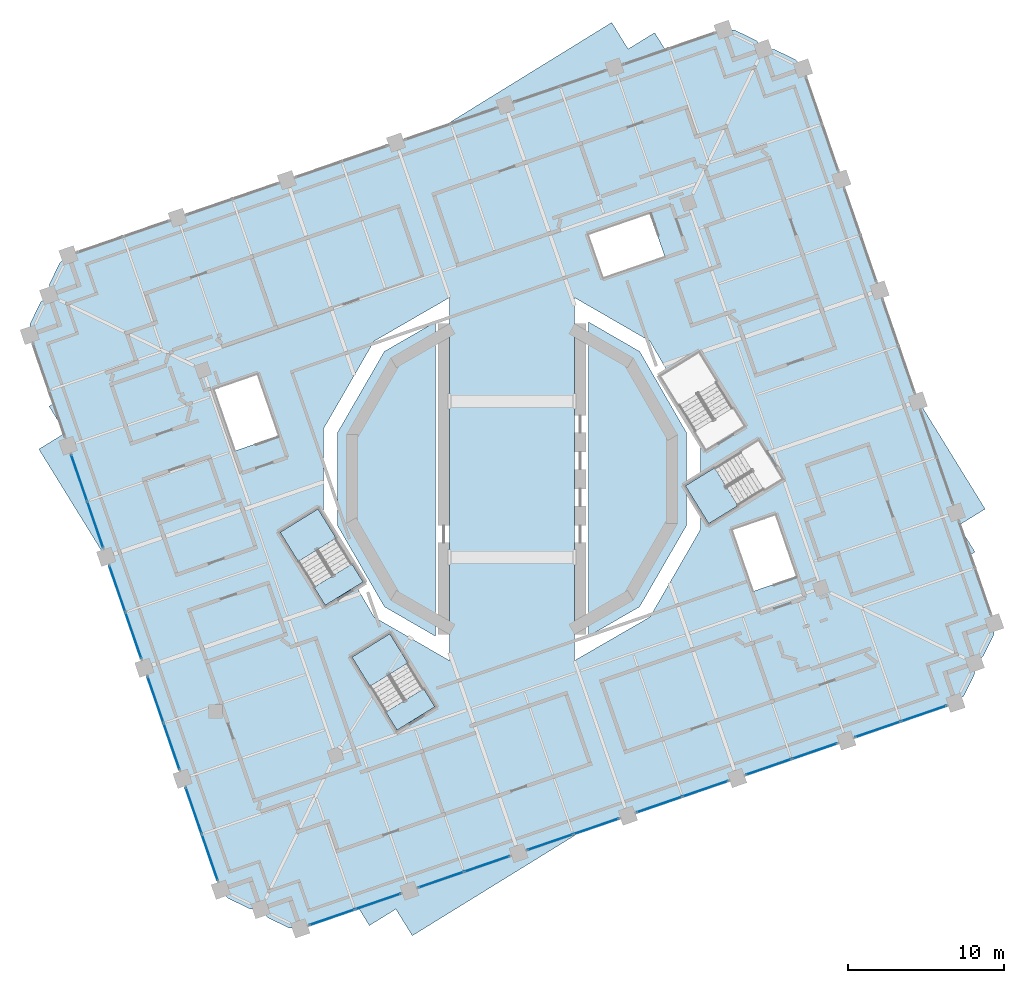
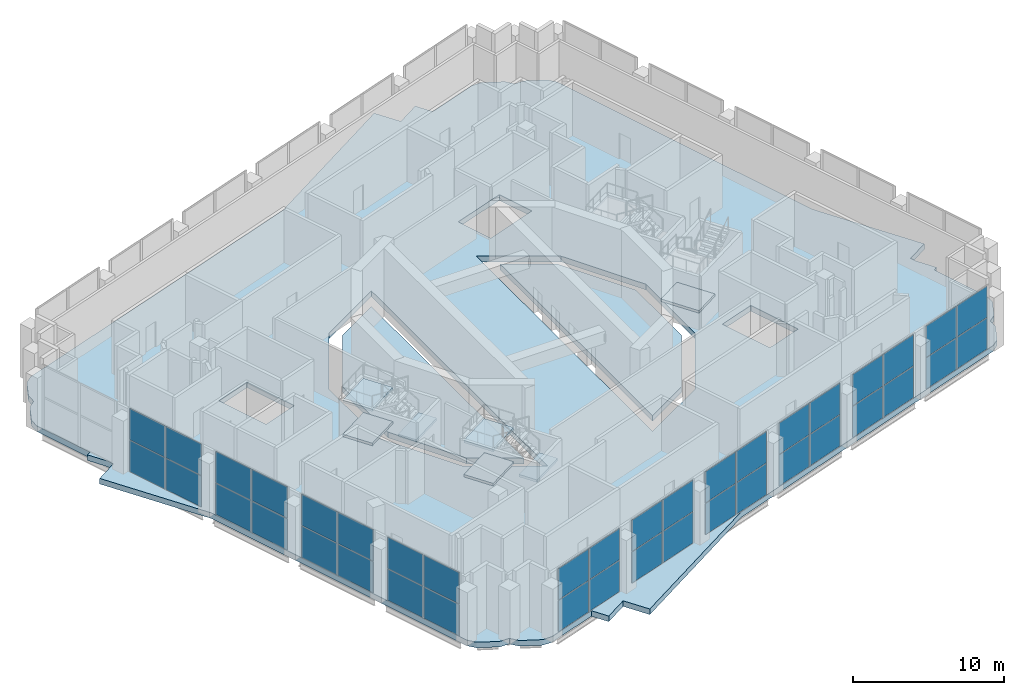
# One storey, part 9 of 20: 40 plates, 10 slabs, 13 elements without a shape of their own.
"""IFC4 building model written with IfcOpenShell, lengths in metres."""

from ifc_helpers import new_model, si_unit, direction, frame, origin, origin_2d, place, context, subcontext, project, spatial, polyline, rectangle, outline, extrude, material, layer, layer_set, type_object, element, aggregate, save


model = new_model("IFC4")

# Units and contexts
model_context = context("Model", 3, precision=1e-05, world=origin(), true_north=direction((0.0, 1.0)))
body_context = subcontext(model_context, "Body", "Model", "MODEL_VIEW")
ifc_project = project(units=[si_unit("LENGTHUNIT", "METRE"), si_unit("AREAUNIT", "SQUARE_METRE"), si_unit("VOLUMEUNIT", "CUBIC_METRE"), si_unit("PLANEANGLEUNIT", "RADIAN"), si_unit("MASSUNIT", "GRAM", prefix="KILO")], contexts=[model_context])

# Site, building, storey
site_placement = place(None, origin())
site = spatial("IfcSite", under=ifc_project, at=site_placement, CompositionType="ELEMENT")
building_placement = place(site_placement, origin())
building = spatial("IfcBuilding", under=site, at=building_placement, Name="Cantera Rosa Tower", CompositionType="ELEMENT")
storey_placement = place(building_placement, frame((0.0, 0.0, 142.10009765625)))
storey = spatial("IfcBuildingStorey", under=building, at=storey_placement, Name="L30", CompositionType="ELEMENT", Elevation=142.10009765625)

# Curtain wall, plates
ifc_material_1 = material(Name="Anodised aluminium louvre", Category="aluminium")
curtain_wall_type = type_object("IfcCurtainWallType", Name="CW3 REFUGE LOUVRE WALL", PredefinedType="NOTDEFINED", material=ifc_material_1)
curtain_wall_1_placement = place(storey_placement, origin())
curtain_wall_1 = element("IfcCurtainWall", 1, at=curtain_wall_1_placement, inside=storey, type_object=curtain_wall_type, Name="CW3 CW3", PredefinedType="NOTDEFINED")
ifc_material_2 = material(Name="Anodised aluminium louvre", Category="aluminium")
ifc_layer_1 = layer(ifc_material_2, 0.028076171875)
ifc_layer_set_1 = layer_set([ifc_layer_1], Name="CW-PANEL REFUGE")
plate_type = type_object("IfcPlateType", Name="CW-PANEL REFUGE", PredefinedType="CURTAIN_PANEL", material=ifc_layer_set_1)
plate_1_placement = place(storey_placement, frame((-27.73681640625, 0.0791015625, 0.06005859375), z_axis=(0.0, 0.0, 1.0), x_axis=(0.325568154474, -0.945518575594, 0.0)))
plate_1 = element("IfcPlate", 2, at=plate_1_placement, type_object=plate_type, Name="CW3 panel 1.1", PredefinedType="CURTAIN_PANEL", context=body_context, shape_type="SweptSolid", body=[
    extrude(rectangle(XDim=3.090087890625, YDim=0.028076171875, at=origin_2d()), origin(), (0.0, 0.0, 1.0), 2.510009765625),
])
plate_2_placement = place(storey_placement, frame((-27.73681640625, 0.0791015625, 2.6298828125), z_axis=(0.0, 0.0, 1.0), x_axis=(0.325568154474, -0.945518575594, 0.0)))
plate_2 = element("IfcPlate", 3, at=plate_2_placement, type_object=plate_type, Name="CW3 panel 1.2", PredefinedType="CURTAIN_PANEL", context=body_context, shape_type="SweptSolid", body=[
    extrude(rectangle(XDim=3.090087890625, YDim=0.028076171875, at=origin_2d()), origin(), (0.0, 0.0, 1.0), 2.510009765625),
])
plate_3_placement = place(storey_placement, frame((-26.704833984375, -2.918212890625, 0.06005859375), z_axis=(0.0, 0.0, 1.0), x_axis=(0.325568154474, -0.945518575594, 0.0)))
plate_3 = element("IfcPlate", 4, at=plate_3_placement, type_object=plate_type, Name="CW3 panel 2.1", PredefinedType="CURTAIN_PANEL", context=body_context, shape_type="SweptSolid", body=[
    extrude(rectangle(XDim=3.090087890625, YDim=0.028076171875, at=origin_2d()), origin(), (0.0, 0.0, 1.0), 2.510009765625),
])
plate_4_placement = place(storey_placement, frame((-26.704833984375, -2.918212890625, 2.6298828125), z_axis=(0.0, 0.0, 1.0), x_axis=(0.325568154474, -0.945518575594, 0.0)))
plate_4 = element("IfcPlate", 5, at=plate_4_placement, type_object=plate_type, Name="CW3 panel 2.2", PredefinedType="CURTAIN_PANEL", context=body_context, shape_type="SweptSolid", body=[
    extrude(rectangle(XDim=3.090087890625, YDim=0.028076171875, at=origin_2d()), origin(), (0.0, 0.0, 1.0), 2.510009765625),
])
aggregate(curtain_wall_1, [plate_1, plate_2, plate_3, plate_4])

curtain_wall_2_placement = place(storey_placement, origin())
curtain_wall_2 = element("IfcCurtainWall", 6, at=curtain_wall_2_placement, inside=storey, type_object=curtain_wall_type, Name="CW3 CW3", PredefinedType="NOTDEFINED")
plate_5_placement = place(storey_placement, frame((-25.28857421875, -7.03125, 0.06005859375), z_axis=(0.0, 0.0, 1.0), x_axis=(0.325568154441, -0.945518575605, 0.0)))
plate_5 = element("IfcPlate", 7, at=plate_5_placement, type_object=plate_type, Name="CW3 panel 1.1", PredefinedType="CURTAIN_PANEL", context=body_context, shape_type="SweptSolid", body=[
    extrude(rectangle(XDim=3.090087890625, YDim=0.028076171875, at=origin_2d()), origin(), (0.0, 0.0, 1.0), 2.510009765625),
])
plate_6_placement = place(storey_placement, frame((-25.28857421875, -7.03125, 2.6298828125), z_axis=(0.0, 0.0, 1.0), x_axis=(0.325568154441, -0.945518575605, 0.0)))
plate_6 = element("IfcPlate", 8, at=plate_6_placement, type_object=plate_type, Name="CW3 panel 1.2", PredefinedType="CURTAIN_PANEL", context=body_context, shape_type="SweptSolid", body=[
    extrude(rectangle(XDim=3.090087890625, YDim=0.028076171875, at=origin_2d()), origin(), (0.0, 0.0, 1.0), 2.510009765625),
])
plate_7_placement = place(storey_placement, frame((-24.256591796875, -10.028564453125, 0.06005859375), z_axis=(0.0, 0.0, 1.0), x_axis=(0.325568154441, -0.945518575605, 0.0)))
plate_7 = element("IfcPlate", 9, at=plate_7_placement, type_object=plate_type, Name="CW3 panel 2.1", PredefinedType="CURTAIN_PANEL", context=body_context, shape_type="SweptSolid", body=[
    extrude(rectangle(XDim=3.090087890625, YDim=0.028076171875, at=origin_2d()), origin(), (0.0, 0.0, 1.0), 2.510009765625),
])
plate_8_placement = place(storey_placement, frame((-24.256591796875, -10.028564453125, 2.6298828125), z_axis=(0.0, 0.0, 1.0), x_axis=(0.325568154441, -0.945518575605, 0.0)))
plate_8 = element("IfcPlate", 10, at=plate_8_placement, type_object=plate_type, Name="CW3 panel 2.2", PredefinedType="CURTAIN_PANEL", context=body_context, shape_type="SweptSolid", body=[
    extrude(rectangle(XDim=3.090087890625, YDim=0.028076171875, at=origin_2d()), origin(), (0.0, 0.0, 1.0), 2.510009765625),
])
aggregate(curtain_wall_2, [plate_5, plate_6, plate_7, plate_8])

curtain_wall_3_placement = place(storey_placement, origin())
curtain_wall_3 = element("IfcCurtainWall", 11, at=curtain_wall_3_placement, inside=storey, type_object=curtain_wall_type, Name="CW3 CW3", PredefinedType="NOTDEFINED")
plate_9_placement = place(storey_placement, frame((-22.84033203125, -14.1416015625, 0.06005859375), z_axis=(0.0, 0.0, 1.0), x_axis=(0.325568154474, -0.945518575594, 0.0)))
plate_9 = element("IfcPlate", 12, at=plate_9_placement, type_object=plate_type, Name="CW3 panel 1.1", PredefinedType="CURTAIN_PANEL", context=body_context, shape_type="SweptSolid", body=[
    extrude(rectangle(XDim=3.090087890625, YDim=0.028076171875, at=origin_2d()), origin(), (0.0, 0.0, 1.0), 2.510009765625),
])
plate_10_placement = place(storey_placement, frame((-22.84033203125, -14.1416015625, 2.6298828125), z_axis=(0.0, 0.0, 1.0), x_axis=(0.325568154474, -0.945518575594, 0.0)))
plate_10 = element("IfcPlate", 13, at=plate_10_placement, type_object=plate_type, Name="CW3 panel 1.2", PredefinedType="CURTAIN_PANEL", context=body_context, shape_type="SweptSolid", body=[
    extrude(rectangle(XDim=3.090087890625, YDim=0.028076171875, at=origin_2d()), origin(), (0.0, 0.0, 1.0), 2.510009765625),
])
plate_11_placement = place(storey_placement, frame((-21.808349609375, -17.138916015625, 0.06005859375), z_axis=(0.0, 0.0, 1.0), x_axis=(0.325568154474, -0.945518575594, 0.0)))
plate_11 = element("IfcPlate", 14, at=plate_11_placement, type_object=plate_type, Name="CW3 panel 2.1", PredefinedType="CURTAIN_PANEL", context=body_context, shape_type="SweptSolid", body=[
    extrude(rectangle(XDim=3.090087890625, YDim=0.028076171875, at=origin_2d()), origin(), (0.0, 0.0, 1.0), 2.510009765625),
])
plate_12_placement = place(storey_placement, frame((-21.808349609375, -17.138916015625, 2.6298828125), z_axis=(0.0, 0.0, 1.0), x_axis=(0.325568154474, -0.945518575594, 0.0)))
plate_12 = element("IfcPlate", 15, at=plate_12_placement, type_object=plate_type, Name="CW3 panel 2.2", PredefinedType="CURTAIN_PANEL", context=body_context, shape_type="SweptSolid", body=[
    extrude(rectangle(XDim=3.090087890625, YDim=0.028076171875, at=origin_2d()), origin(), (0.0, 0.0, 1.0), 2.510009765625),
])
aggregate(curtain_wall_3, [plate_9, plate_10, plate_11, plate_12])

curtain_wall_4_placement = place(storey_placement, origin())
curtain_wall_4 = element("IfcCurtainWall", 16, at=curtain_wall_4_placement, inside=storey, type_object=curtain_wall_type, Name="CW3 CW3", PredefinedType="NOTDEFINED")
plate_13_placement = place(storey_placement, frame((-20.39208984375, -21.251953125, 0.06005859375), z_axis=(0.0, 0.0, 1.0), x_axis=(0.325568154441, -0.945518575605, 0.0)))
plate_13 = element("IfcPlate", 17, at=plate_13_placement, type_object=plate_type, Name="CW3 panel 1.1", PredefinedType="CURTAIN_PANEL", context=body_context, shape_type="SweptSolid", body=[
    extrude(rectangle(XDim=3.090087890625, YDim=0.028076171875, at=origin_2d()), origin(), (0.0, 0.0, 1.0), 2.510009765625),
])
plate_14_placement = place(storey_placement, frame((-20.39208984375, -21.251953125, 2.6298828125), z_axis=(0.0, 0.0, 1.0), x_axis=(0.325568154441, -0.945518575605, 0.0)))
plate_14 = element("IfcPlate", 18, at=plate_14_placement, type_object=plate_type, Name="CW3 panel 1.2", PredefinedType="CURTAIN_PANEL", context=body_context, shape_type="SweptSolid", body=[
    extrude(rectangle(XDim=3.090087890625, YDim=0.028076171875, at=origin_2d()), origin(), (0.0, 0.0, 1.0), 2.510009765625),
])
plate_15_placement = place(storey_placement, frame((-19.360107421875, -24.2490234375, 0.06005859375), z_axis=(0.0, 0.0, 1.0), x_axis=(0.325568154441, -0.945518575605, 0.0)))
plate_15 = element("IfcPlate", 19, at=plate_15_placement, type_object=plate_type, Name="CW3 panel 2.1", PredefinedType="CURTAIN_PANEL", context=body_context, shape_type="SweptSolid", body=[
    extrude(rectangle(XDim=3.090087890625, YDim=0.028076171875, at=origin_2d()), origin(), (0.0, 0.0, 1.0), 2.510009765625),
])
plate_16_placement = place(storey_placement, frame((-19.360107421875, -24.2490234375, 2.6298828125), z_axis=(0.0, 0.0, 1.0), x_axis=(0.325568154441, -0.945518575605, 0.0)))
plate_16 = element("IfcPlate", 20, at=plate_16_placement, type_object=plate_type, Name="CW3 panel 2.2", PredefinedType="CURTAIN_PANEL", context=body_context, shape_type="SweptSolid", body=[
    extrude(rectangle(XDim=3.090087890625, YDim=0.028076171875, at=origin_2d()), origin(), (0.0, 0.0, 1.0), 2.510009765625),
])
aggregate(curtain_wall_4, [plate_13, plate_14, plate_15, plate_16])

curtain_wall_5_placement = place(storey_placement, origin())
curtain_wall_5 = element("IfcCurtainWall", 21, at=curtain_wall_5_placement, inside=storey, type_object=curtain_wall_type, Name="CW3 CW3", PredefinedType="NOTDEFINED")
plate_17_placement = place(storey_placement, frame((-11.539306640625, -28.087158203125, 0.06005859375), z_axis=(0.0, 0.0, 1.0), x_axis=(0.945518575616, 0.325568154408, 0.0)))
plate_17 = element("IfcPlate", 22, at=plate_17_placement, type_object=plate_type, Name="CW3 panel 1.1", PredefinedType="CURTAIN_PANEL", context=body_context, shape_type="SweptSolid", body=[
    extrude(rectangle(XDim=3.030029296875, YDim=0.028076171875, at=origin_2d()), origin(), (0.0, 0.0, 1.0), 2.510009765625),
])
plate_18_placement = place(storey_placement, frame((-11.539306640625, -28.087158203125, 2.6298828125), z_axis=(0.0, 0.0, 1.0), x_axis=(0.945518575616, 0.325568154408, 0.0)))
plate_18 = element("IfcPlate", 23, at=plate_18_placement, type_object=plate_type, Name="CW3 panel 1.2", PredefinedType="CURTAIN_PANEL", context=body_context, shape_type="SweptSolid", body=[
    extrude(rectangle(XDim=3.030029296875, YDim=0.028076171875, at=origin_2d()), origin(), (0.0, 0.0, 1.0), 2.510009765625),
])
plate_19_placement = place(storey_placement, frame((-8.598876953125, -27.074462890625, 0.06005859375), z_axis=(0.0, 0.0, 1.0), x_axis=(0.945518575616, 0.325568154408, 0.0)))
plate_19 = element("IfcPlate", 24, at=plate_19_placement, type_object=plate_type, Name="CW3 panel 2.1", PredefinedType="CURTAIN_PANEL", context=body_context, shape_type="SweptSolid", body=[
    extrude(rectangle(XDim=3.030029296875, YDim=0.028076171875, at=origin_2d()), origin(), (0.0, 0.0, 1.0), 2.510009765625),
])
plate_20_placement = place(storey_placement, frame((-8.598876953125, -27.074462890625, 2.6298828125), z_axis=(0.0, 0.0, 1.0), x_axis=(0.945518575616, 0.325568154408, 0.0)))
plate_20 = element("IfcPlate", 25, at=plate_20_placement, type_object=plate_type, Name="CW3 panel 2.2", PredefinedType="CURTAIN_PANEL", context=body_context, shape_type="SweptSolid", body=[
    extrude(rectangle(XDim=3.030029296875, YDim=0.028076171875, at=origin_2d()), origin(), (0.0, 0.0, 1.0), 2.510009765625),
])
aggregate(curtain_wall_5, [plate_17, plate_18, plate_19, plate_20])

curtain_wall_6_placement = place(storey_placement, origin())
curtain_wall_6 = element("IfcCurtainWall", 26, at=curtain_wall_6_placement, inside=storey, type_object=curtain_wall_type, Name="CW3 CW3", PredefinedType="NOTDEFINED")
plate_21_placement = place(storey_placement, frame((-4.54248046875, -25.677978515625, 0.06005859375), z_axis=(0.0, 0.0, 1.0), x_axis=(0.945518575599, 0.325568154457, 0.0)))
plate_21 = element("IfcPlate", 27, at=plate_21_placement, type_object=plate_type, Name="CW3 panel 1.1", PredefinedType="CURTAIN_PANEL", context=body_context, shape_type="SweptSolid", body=[
    extrude(rectangle(XDim=3.030029296875, YDim=0.028076171875, at=origin_2d()), origin(), (0.0, 0.0, 1.0), 2.510009765625),
])
plate_22_placement = place(storey_placement, frame((-4.54248046875, -25.677978515625, 2.6298828125), z_axis=(0.0, 0.0, 1.0), x_axis=(0.945518575599, 0.325568154457, 0.0)))
plate_22 = element("IfcPlate", 28, at=plate_22_placement, type_object=plate_type, Name="CW3 panel 1.2", PredefinedType="CURTAIN_PANEL", context=body_context, shape_type="SweptSolid", body=[
    extrude(rectangle(XDim=3.030029296875, YDim=0.028076171875, at=origin_2d()), origin(), (0.0, 0.0, 1.0), 2.510009765625),
])
plate_23_placement = place(storey_placement, frame((-1.60205078125, -24.665283203125, 0.06005859375), z_axis=(0.0, 0.0, 1.0), x_axis=(0.945518575599, 0.325568154457, 0.0)))
plate_23 = element("IfcPlate", 29, at=plate_23_placement, type_object=plate_type, Name="CW3 panel 2.1", PredefinedType="CURTAIN_PANEL", context=body_context, shape_type="SweptSolid", body=[
    extrude(rectangle(XDim=3.030029296875, YDim=0.028076171875, at=origin_2d()), origin(), (0.0, 0.0, 1.0), 2.510009765625),
])
plate_24_placement = place(storey_placement, frame((-1.60205078125, -24.665283203125, 2.6298828125), z_axis=(0.0, 0.0, 1.0), x_axis=(0.945518575599, 0.325568154457, 0.0)))
plate_24 = element("IfcPlate", 30, at=plate_24_placement, type_object=plate_type, Name="CW3 panel 2.2", PredefinedType="CURTAIN_PANEL", context=body_context, shape_type="SweptSolid", body=[
    extrude(rectangle(XDim=3.030029296875, YDim=0.028076171875, at=origin_2d()), origin(), (0.0, 0.0, 1.0), 2.510009765625),
])
aggregate(curtain_wall_6, [plate_21, plate_22, plate_23, plate_24])

curtain_wall_7_placement = place(storey_placement, origin())
curtain_wall_7 = element("IfcCurtainWall", 31, at=curtain_wall_7_placement, inside=storey, type_object=curtain_wall_type, Name="CW3 CW3", PredefinedType="NOTDEFINED")
plate_25_placement = place(storey_placement, frame((2.454345703125, -23.268798828125, 0.06005859375), z_axis=(0.0, 0.0, 1.0), x_axis=(0.945518575616, 0.325568154408, 0.0)))
plate_25 = element("IfcPlate", 32, at=plate_25_placement, type_object=plate_type, Name="CW3 panel 1.1", PredefinedType="CURTAIN_PANEL", context=body_context, shape_type="SweptSolid", body=[
    extrude(rectangle(XDim=3.030029296875, YDim=0.028076171875, at=origin_2d()), origin(), (0.0, 0.0, 1.0), 2.510009765625),
])
plate_26_placement = place(storey_placement, frame((2.454345703125, -23.268798828125, 2.6298828125), z_axis=(0.0, 0.0, 1.0), x_axis=(0.945518575616, 0.325568154408, 0.0)))
plate_26 = element("IfcPlate", 33, at=plate_26_placement, type_object=plate_type, Name="CW3 panel 1.2", PredefinedType="CURTAIN_PANEL", context=body_context, shape_type="SweptSolid", body=[
    extrude(rectangle(XDim=3.030029296875, YDim=0.028076171875, at=origin_2d()), origin(), (0.0, 0.0, 1.0), 2.510009765625),
])
plate_27_placement = place(storey_placement, frame((5.394775390625, -22.256103515625, 0.06005859375), z_axis=(0.0, 0.0, 1.0), x_axis=(0.945518575616, 0.325568154408, 0.0)))
plate_27 = element("IfcPlate", 34, at=plate_27_placement, type_object=plate_type, Name="CW3 panel 2.1", PredefinedType="CURTAIN_PANEL", context=body_context, shape_type="SweptSolid", body=[
    extrude(rectangle(XDim=3.030029296875, YDim=0.028076171875, at=origin_2d()), origin(), (0.0, 0.0, 1.0), 2.510009765625),
])
plate_28_placement = place(storey_placement, frame((5.394775390625, -22.256103515625, 2.6298828125), z_axis=(0.0, 0.0, 1.0), x_axis=(0.945518575616, 0.325568154408, 0.0)))
plate_28 = element("IfcPlate", 35, at=plate_28_placement, type_object=plate_type, Name="CW3 panel 2.2", PredefinedType="CURTAIN_PANEL", context=body_context, shape_type="SweptSolid", body=[
    extrude(rectangle(XDim=3.030029296875, YDim=0.028076171875, at=origin_2d()), origin(), (0.0, 0.0, 1.0), 2.510009765625),
])
aggregate(curtain_wall_7, [plate_25, plate_26, plate_27, plate_28])

curtain_wall_8_placement = place(storey_placement, origin())
curtain_wall_8 = element("IfcCurtainWall", 36, at=curtain_wall_8_placement, inside=storey, type_object=curtain_wall_type, Name="CW3 CW3", PredefinedType="NOTDEFINED")
plate_29_placement = place(storey_placement, frame((9.451171875, -20.859375, 0.06005859375), z_axis=(0.0, 0.0, 1.0), x_axis=(0.945518575599, 0.325568154457, 0.0)))
plate_29 = element("IfcPlate", 37, at=plate_29_placement, type_object=plate_type, Name="CW3 panel 1.1", PredefinedType="CURTAIN_PANEL", context=body_context, shape_type="SweptSolid", body=[
    extrude(rectangle(XDim=3.030029296875, YDim=0.028076171875, at=origin_2d()), origin(), (0.0, 0.0, 1.0), 2.510009765625),
])
plate_30_placement = place(storey_placement, frame((9.451171875, -20.859375, 2.6298828125), z_axis=(0.0, 0.0, 1.0), x_axis=(0.945518575599, 0.325568154457, 0.0)))
plate_30 = element("IfcPlate", 38, at=plate_30_placement, type_object=plate_type, Name="CW3 panel 1.2", PredefinedType="CURTAIN_PANEL", context=body_context, shape_type="SweptSolid", body=[
    extrude(rectangle(XDim=3.030029296875, YDim=0.028076171875, at=origin_2d()), origin(), (0.0, 0.0, 1.0), 2.510009765625),
])
plate_31_placement = place(storey_placement, frame((12.3916015625, -19.846923828125, 0.06005859375), z_axis=(0.0, 0.0, 1.0), x_axis=(0.945518575599, 0.325568154457, 0.0)))
plate_31 = element("IfcPlate", 39, at=plate_31_placement, type_object=plate_type, Name="CW3 panel 2.1", PredefinedType="CURTAIN_PANEL", context=body_context, shape_type="SweptSolid", body=[
    extrude(rectangle(XDim=3.030029296875, YDim=0.028076171875, at=origin_2d()), origin(), (0.0, 0.0, 1.0), 2.510009765625),
])
plate_32_placement = place(storey_placement, frame((12.3916015625, -19.846923828125, 2.6298828125), z_axis=(0.0, 0.0, 1.0), x_axis=(0.945518575599, 0.325568154457, 0.0)))
plate_32 = element("IfcPlate", 40, at=plate_32_placement, type_object=plate_type, Name="CW3 panel 2.2", PredefinedType="CURTAIN_PANEL", context=body_context, shape_type="SweptSolid", body=[
    extrude(rectangle(XDim=3.030029296875, YDim=0.028076171875, at=origin_2d()), origin(), (0.0, 0.0, 1.0), 2.510009765625),
])
aggregate(curtain_wall_8, [plate_29, plate_30, plate_31, plate_32])

curtain_wall_9_placement = place(storey_placement, origin())
curtain_wall_9 = element("IfcCurtainWall", 41, at=curtain_wall_9_placement, inside=storey, type_object=curtain_wall_type, Name="CW3 CW3", PredefinedType="NOTDEFINED")
plate_33_placement = place(storey_placement, frame((16.447998046875, -18.4501953125, 0.06005859375), z_axis=(0.0, 0.0, 1.0), x_axis=(0.945518575599, 0.325568154457, 0.0)))
plate_33 = element("IfcPlate", 42, at=plate_33_placement, type_object=plate_type, Name="CW3 panel 1.1", PredefinedType="CURTAIN_PANEL", context=body_context, shape_type="SweptSolid", body=[
    extrude(rectangle(XDim=3.030029296875, YDim=0.028076171875, at=origin_2d()), origin(), (0.0, 0.0, 1.0), 2.510009765625),
])
plate_34_placement = place(storey_placement, frame((16.447998046875, -18.4501953125, 2.6298828125), z_axis=(0.0, 0.0, 1.0), x_axis=(0.945518575599, 0.325568154457, 0.0)))
plate_34 = element("IfcPlate", 43, at=plate_34_placement, type_object=plate_type, Name="CW3 panel 1.2", PredefinedType="CURTAIN_PANEL", context=body_context, shape_type="SweptSolid", body=[
    extrude(rectangle(XDim=3.030029296875, YDim=0.028076171875, at=origin_2d()), origin(), (0.0, 0.0, 1.0), 2.510009765625),
])
plate_35_placement = place(storey_placement, frame((19.388427734375, -17.437744140625, 0.06005859375), z_axis=(0.0, 0.0, 1.0), x_axis=(0.945518575599, 0.325568154457, 0.0)))
plate_35 = element("IfcPlate", 44, at=plate_35_placement, type_object=plate_type, Name="CW3 panel 2.1", PredefinedType="CURTAIN_PANEL", context=body_context, shape_type="SweptSolid", body=[
    extrude(rectangle(XDim=3.030029296875, YDim=0.028076171875, at=origin_2d()), origin(), (0.0, 0.0, 1.0), 2.510009765625),
])
plate_36_placement = place(storey_placement, frame((19.388427734375, -17.437744140625, 2.6298828125), z_axis=(0.0, 0.0, 1.0), x_axis=(0.945518575599, 0.325568154457, 0.0)))
plate_36 = element("IfcPlate", 45, at=plate_36_placement, type_object=plate_type, Name="CW3 panel 2.2", PredefinedType="CURTAIN_PANEL", context=body_context, shape_type="SweptSolid", body=[
    extrude(rectangle(XDim=3.030029296875, YDim=0.028076171875, at=origin_2d()), origin(), (0.0, 0.0, 1.0), 2.510009765625),
])
aggregate(curtain_wall_9, [plate_33, plate_34, plate_35, plate_36])

curtain_wall_10_placement = place(storey_placement, origin())
curtain_wall_10 = element("IfcCurtainWall", 46, at=curtain_wall_10_placement, inside=storey, type_object=curtain_wall_type, Name="CW3 CW3", PredefinedType="NOTDEFINED")
plate_37_placement = place(storey_placement, frame((23.44482421875, -16.041015625, 0.06005859375), z_axis=(0.0, 0.0, 1.0), x_axis=(0.945518575599, 0.325568154457, 0.0)))
plate_37 = element("IfcPlate", 47, at=plate_37_placement, type_object=plate_type, Name="CW3 panel 1.1", PredefinedType="CURTAIN_PANEL", context=body_context, shape_type="SweptSolid", body=[
    extrude(rectangle(XDim=3.030029296875, YDim=0.028076171875, at=origin_2d()), origin(), (0.0, 0.0, 1.0), 2.510009765625),
])
plate_38_placement = place(storey_placement, frame((23.44482421875, -16.041015625, 2.6298828125), z_axis=(0.0, 0.0, 1.0), x_axis=(0.945518575599, 0.325568154457, 0.0)))
plate_38 = element("IfcPlate", 48, at=plate_38_placement, type_object=plate_type, Name="CW3 panel 1.2", PredefinedType="CURTAIN_PANEL", context=body_context, shape_type="SweptSolid", body=[
    extrude(rectangle(XDim=3.030029296875, YDim=0.028076171875, at=origin_2d()), origin(), (0.0, 0.0, 1.0), 2.510009765625),
])
plate_39_placement = place(storey_placement, frame((26.38525390625, -15.028564453125, 0.06005859375), z_axis=(0.0, 0.0, 1.0), x_axis=(0.945518575599, 0.325568154457, 0.0)))
plate_39 = element("IfcPlate", 49, at=plate_39_placement, type_object=plate_type, Name="CW3 panel 2.1", PredefinedType="CURTAIN_PANEL", context=body_context, shape_type="SweptSolid", body=[
    extrude(rectangle(XDim=3.030029296875, YDim=0.028076171875, at=origin_2d()), origin(), (0.0, 0.0, 1.0), 2.510009765625),
])
plate_40_placement = place(storey_placement, frame((26.38525390625, -15.028564453125, 2.6298828125), z_axis=(0.0, 0.0, 1.0), x_axis=(0.945518575599, 0.325568154457, 0.0)))
plate_40 = element("IfcPlate", 50, at=plate_40_placement, type_object=plate_type, Name="CW3 panel 2.2", PredefinedType="CURTAIN_PANEL", context=body_context, shape_type="SweptSolid", body=[
    extrude(rectangle(XDim=3.030029296875, YDim=0.028076171875, at=origin_2d()), origin(), (0.0, 0.0, 1.0), 2.510009765625),
])
aggregate(curtain_wall_10, [plate_37, plate_38, plate_39, plate_40])

# Slabs
ifc_material_3 = material(Name="Concrete C50/60", Category="concrete")
ifc_layer_2 = layer(ifc_material_3, 0.449951171875)
ifc_layer_set_2 = layer_set([ifc_layer_2], Name="RC TRANSFER PLATE 450 C50/60")
slab_type_1 = type_object("IfcSlabType", Name="RC TRANSFER PLATE 450 C50/60", PredefinedType="FLOOR", material=ifc_layer_set_2)
slab_1_placement = place(storey_placement, frame((0.0, 0.0, -0.4501953125)))
element("IfcSlab", 51, at=slab_1_placement, inside=storey, type_object=slab_type_1, Name="SLAB L30 floor 1", PredefinedType="FLOOR", context=body_context, shape_type="SweptSolid", body=[
    extrude(outline(polyline([(-4.89990234375, -10.07373046875), (-8.179931640625, -8.179931640625), (-11.174072265625, -2.994140625), (-11.174072265625, 2.994140625), (-8.179931640625, 8.179931640625), (-4.89990234375, 10.07373046875), (-4.89990234375, -10.07373046875)])), origin(), (0.0, 0.0, 1.0), 0.4501953125),
])
slab_2_placement = place(storey_placement, frame((0.0, 0.0, -0.4501953125)))
element("IfcSlab", 52, at=slab_2_placement, inside=storey, type_object=slab_type_1, Name="SLAB L30 floor 2", PredefinedType="FLOOR", context=body_context, shape_type="SweptSolid", body=[
    extrude(outline(polyline([(-14.334716796875, -28.7451171875), (-15.605712890625, -28.125), (-15.631591796875, -28.111083984375), (-15.65576171875, -28.09423828125), (-15.67822265625, -28.075439453125), (-15.698974609375, -28.05419921875), (-16.109619140625, -27.54541015625), (-16.763671875, -27.534912109375), (-16.79296875, -27.53173828125), (-16.82177734375, -27.525634765625), (-16.849609375, -27.516845703125), (-16.876708984375, -27.505126953125), (-18.14794921875, -26.88525390625), (-18.173583984375, -26.87109375), (-18.197998046875, -26.8544921875), (-18.220458984375, -26.83544921875), (-18.240966796875, -26.814453125), (-18.65185546875, -26.3056640625), (-18.948974609375, -25.443115234375), (-25.904541015625, -5.24267578125), (-30.321044921875, 1.917724609375), (-28.7119140625, 2.910400390625), (-28.873779296875, 3.381103515625), (-29.668701171875, 4.669921875), (-29.379150390625, 4.848388671875), (-30.893310546875, 9.245849609375), (-30.8828125, 9.899658203125), (-30.87939453125, 9.928955078125), (-30.873291015625, 9.957763671875), (-30.864501953125, 9.98583984375), (-30.852783203125, 10.012939453125), (-30.23291015625, 11.283935546875), (-30.21875, 11.309814453125), (-30.2021484375, 11.333984375), (-30.18310546875, 11.356689453125), (-30.162109375, 11.377197265625), (-29.6533203125, 11.7880859375), (-29.642822265625, 12.44189453125), (-29.6396484375, 12.47119140625), (-29.633544921875, 12.5), (-29.62451171875, 12.528076171875), (-29.613037109375, 12.55517578125), (-28.9931640625, 13.826171875), (-28.97900390625, 13.85205078125), (-28.962158203125, 13.876220703125), (-28.943359375, 13.898681640625), (-28.922119140625, 13.91943359375), (-28.41357421875, 14.330078125), (-27.55078125, 14.627197265625), (-4.42578125, 22.58984375), (6.389892578125, 29.260986328125), (7.43994140625, 27.558837890625), (9.14208984375, 28.60888671875), (9.827392578125, 27.49755859375), (13.567626953125, 28.785400390625), (14.221435546875, 28.77490234375), (14.250732421875, 28.771728515625), (14.279541015625, 28.765625), (14.3076171875, 28.756591796875), (14.334716796875, 28.7451171875), (15.605712890625, 28.125), (15.631591796875, 28.111083984375), (15.65576171875, 28.09423828125), (15.67822265625, 28.075439453125), (15.698974609375, 28.05419921875), (16.109619140625, 27.54541015625), (16.763671875, 27.534912109375), (16.79296875, 27.53173828125), (16.82177734375, 27.525634765625), (16.849609375, 27.516845703125), (16.876708984375, 27.505126953125), (18.14794921875, 26.88525390625), (18.173583984375, 26.87109375), (18.197998046875, 26.8544921875), (18.220458984375, 26.83544921875), (18.240966796875, 26.814453125), (18.65185546875, 26.3056640625), (18.948974609375, 25.443115234375), (25.904541015625, 5.24267578125), (30.321044921875, -1.917724609375), (28.7119140625, -2.910400390625), (28.873779296875, -3.381103515625), (29.668701171875, -4.669921875), (29.379150390625, -4.848388671875), (30.893310546875, -9.245849609375), (30.8828125, -9.899658203125), (30.87939453125, -9.928955078125), (30.873291015625, -9.957763671875), (30.864501953125, -9.98583984375), (30.852783203125, -10.012939453125), (30.23291015625, -11.283935546875), (30.21875, -11.309814453125), (30.2021484375, -11.333984375), (30.18310546875, -11.356689453125), (30.162109375, -11.377197265625), (29.6533203125, -11.7880859375), (29.642822265625, -12.44189453125), (29.6396484375, -12.47119140625), (29.633544921875, -12.5), (29.62451171875, -12.528076171875), (29.613037109375, -12.55517578125), (28.9931640625, -13.826171875), (28.97900390625, -13.85205078125), (28.962158203125, -13.876220703125), (28.943359375, -13.898681640625), (28.922119140625, -13.91943359375), (28.41357421875, -14.330078125), (27.55078125, -14.627197265625), (4.42578125, -22.58984375), (-6.389892578125, -29.260986328125), (-7.43994140625, -27.558837890625), (-9.14208984375, -28.60888671875), (-9.827392578125, -27.49755859375), (-13.567626953125, -28.785400390625), (-14.221435546875, -28.77490234375), (-14.250732421875, -28.771728515625), (-14.279541015625, -28.765625), (-14.3076171875, -28.756591796875), (-14.334716796875, -28.7451171875)]), holes=[polyline([(14.1572265625, -3.263916015625), (15.50439453125, -7.17626953125), (18.19921875, -6.248291015625), (16.85205078125, -2.3359375), (14.1572265625, -3.263916015625)]), polyline([(-12.07421875, -3.235107421875), (-8.8388671875, -8.8388671875), (-4.0, -11.632568359375), (-4.0, 11.632568359375), (-8.8388671875, 8.8388671875), (-12.07421875, 3.235107421875), (-12.07421875, -3.235107421875)]), polyline([(12.07421875, 3.235107421875), (8.8388671875, 8.8388671875), (4.0, 11.632568359375), (4.0, -11.632568359375), (8.8388671875, -8.8388671875), (12.07421875, -3.235107421875), (12.07421875, 3.235107421875)]), polyline([(-16.347900390625, 6.6640625), (-19.042724609375, 5.736083984375), (-17.695556640625, 1.82373046875), (-15.000732421875, 2.751708984375), (-16.347900390625, 6.6640625)]), polyline([(4.935791015625, 15.652099609375), (5.86376953125, 12.957275390625), (9.7763671875, 14.304443359375), (8.848388671875, 16.999267578125), (4.935791015625, 15.652099609375)])]), origin(), (0.0, 0.0, 1.0), 0.4501953125),
])
slab_3_placement = place(storey_placement, frame((0.0, 0.0, -0.4501953125)))
element("IfcSlab", 53, at=slab_3_placement, inside=storey, type_object=slab_type_1, Name="SLAB L30 floor 3", PredefinedType="FLOOR", context=body_context, shape_type="SweptSolid", body=[
    extrude(outline(polyline([(4.89990234375, 10.07373046875), (8.179931640625, 8.179931640625), (11.174072265625, 2.994140625), (11.174072265625, -2.994140625), (8.179931640625, -8.179931640625), (4.89990234375, -10.07373046875), (4.89990234375, 10.07373046875)])), origin(), (0.0, 0.0, 1.0), 0.4501953125),
])

# Stair, slabs
ifc_material_4 = material(Name="Concrete C35/45", Category="concrete")
stair_type = type_object("IfcStairType", Name="EXIT STAIR 1350 DOGLEG", PredefinedType="HALF_TURN_STAIR", material=ifc_material_4)
stair_1_placement = place(storey_placement, origin())
stair_1 = element("IfcStair", 54, at=stair_1_placement, inside=storey, type_object=stair_type, Name="L30 ST-32", PredefinedType="HALF_TURN_STAIR")
ifc_material_5 = material(Name="Concrete C35/45", Category="concrete")
ifc_layer_3 = layer(ifc_material_5, 0.199951171875)
ifc_layer_set_3 = layer_set([ifc_layer_3], Name="STAIR LANDING 200")
slab_type_2 = type_object("IfcSlabType", Name="STAIR LANDING 200", PredefinedType="LANDING", material=ifc_layer_set_3)
slab_4_placement = place(storey_placement, frame((0.0, 0.0, 1.1748046875)))
slab_4 = element("IfcSlab", 55, at=slab_4_placement, type_object=slab_type_2, Name="ST-32 landing 1", PredefinedType="LANDING", context=body_context, shape_type="SweptSolid", body=[
    extrude(outline(polyline([(-11.27490234375, -3.785400390625), (-12.430908203125, -1.911376953125), (-14.8564453125, -3.407470703125), (-13.700439453125, -5.28173828125), (-11.27490234375, -3.785400390625)])), origin(), (0.0, 0.0, 1.0), 0.2001953125),
])
slab_5_placement = place(storey_placement, frame((0.0, 0.0, 2.5498046875)))
slab_5 = element("IfcSlab", 56, at=slab_5_placement, type_object=slab_type_2, Name="ST-32 landing 2", PredefinedType="LANDING", context=body_context, shape_type="SweptSolid", body=[
    extrude(outline(polyline([(-9.54345703125, -6.592529296875), (-10.258544921875, -5.433349609375), (-12.68408203125, -6.929443359375), (-11.96923828125, -8.088623046875), (-9.54345703125, -6.592529296875)])), origin(), (0.0, 0.0, 1.0), 0.2001953125),
])
slab_6_placement = place(storey_placement, frame((0.0, 0.0, 3.9248046875)))
slab_6 = element("IfcSlab", 57, at=slab_6_placement, type_object=slab_type_2, Name="ST-32 landing 3", PredefinedType="LANDING", context=body_context, shape_type="SweptSolid", body=[
    extrude(outline(polyline([(-11.27490234375, -3.785400390625), (-12.430908203125, -1.911376953125), (-14.8564453125, -3.407470703125), (-13.700439453125, -5.28173828125), (-11.27490234375, -3.785400390625)])), origin(), (0.0, 0.0, 1.0), 0.2001953125),
])
aggregate(stair_1, [slab_4, slab_5, slab_6])

stair_2_placement = place(storey_placement, origin())
stair_2 = element("IfcStair", 58, at=stair_2_placement, inside=storey, type_object=stair_type, Name="L30 ST-33", PredefinedType="HALF_TURN_STAIR")
slab_7_placement = place(storey_placement, frame((0.0, 0.0, 1.1748046875)))
slab_7 = element("IfcSlab", 59, at=slab_7_placement, type_object=slab_type_2, Name="ST-33 landing 1", PredefinedType="LANDING", context=body_context, shape_type="SweptSolid", body=[
    extrude(outline(polyline([(-6.6748046875, -11.785400390625), (-7.830810546875, -9.911376953125), (-10.256591796875, -11.407470703125), (-9.1005859375, -13.28173828125), (-6.6748046875, -11.785400390625)])), origin(), (0.0, 0.0, 1.0), 0.2001953125),
])
slab_8_placement = place(storey_placement, frame((0.0, 0.0, 2.5498046875)))
slab_8 = element("IfcSlab", 60, at=slab_8_placement, type_object=slab_type_2, Name="ST-33 landing 2", PredefinedType="LANDING", context=body_context, shape_type="SweptSolid", body=[
    extrude(outline(polyline([(-4.943359375, -14.592529296875), (-5.658447265625, -13.433349609375), (-8.084228515625, -14.929443359375), (-7.369140625, -16.088623046875), (-4.943359375, -14.592529296875)])), origin(), (0.0, 0.0, 1.0), 0.2001953125),
])
slab_9_placement = place(storey_placement, frame((0.0, 0.0, 3.9248046875)))
slab_9 = element("IfcSlab", 61, at=slab_9_placement, type_object=slab_type_2, Name="ST-33 landing 3", PredefinedType="LANDING", context=body_context, shape_type="SweptSolid", body=[
    extrude(outline(polyline([(-6.6748046875, -11.785400390625), (-7.830810546875, -9.911376953125), (-10.256591796875, -11.407470703125), (-9.1005859375, -13.28173828125), (-6.6748046875, -11.785400390625)])), origin(), (0.0, 0.0, 1.0), 0.2001953125),
])
aggregate(stair_2, [slab_7, slab_8, slab_9])

# Stair, slab
stair_3_placement = place(storey_placement, origin())
stair_3 = element("IfcStair", 62, at=stair_3_placement, inside=storey, type_object=stair_type, Name="L30 ST-34", PredefinedType="HALF_TURN_STAIR")
slab_10_placement = place(storey_placement, frame((0.0, 0.0, 1.1748046875)))
slab_10 = element("IfcSlab", 63, at=slab_10_placement, type_object=slab_type_2, Name="ST-34 landing 1", PredefinedType="LANDING", context=body_context, shape_type="SweptSolid", body=[
    extrude(outline(polyline([(12.985595703125, 0.72509765625), (11.111328125, -0.430908203125), (12.607421875, -2.8564453125), (14.481689453125, -1.700439453125), (12.985595703125, 0.72509765625)])), origin(), (0.0, 0.0, 1.0), 0.2001953125),
])
aggregate(stair_3, [slab_10])

save(model, "model.ifc")
